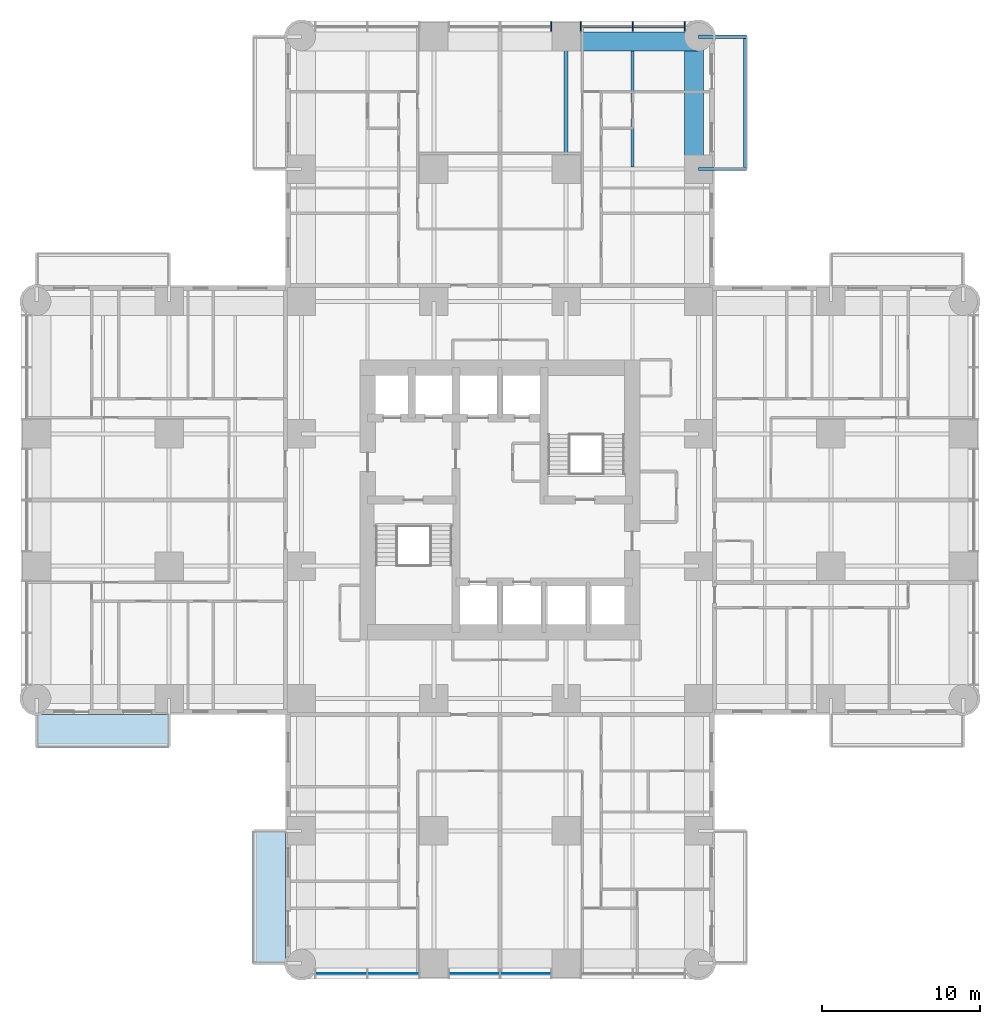
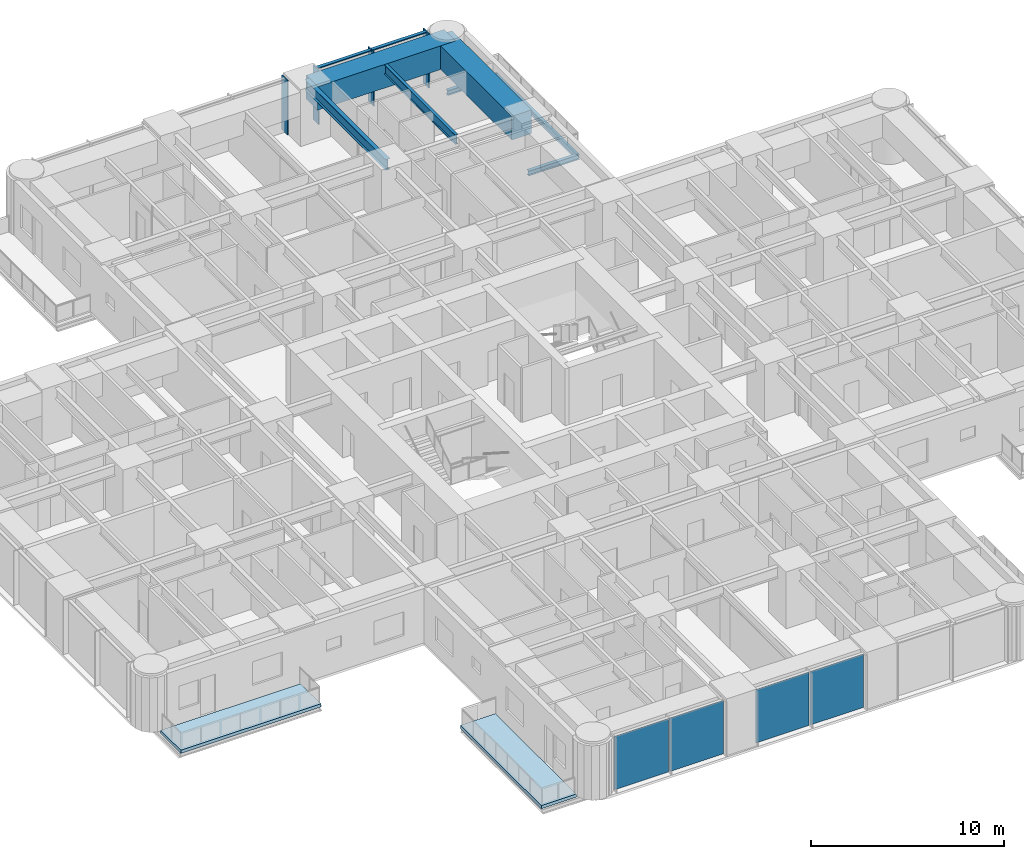
# One storey, part 5 of 17: 7 beams, 6 members, 4 plates, 2 slabs, 2 elements without a shape of their own.
"""IFC4 building model written with IfcOpenShell, lengths in metres."""

from ifc_helpers import new_model, si_unit, direction, frame, origin, origin_2d, place, context, subcontext, project, spatial, polyline, rectangle, i_section, outline, extrude, material, layer, layer_set, material_profile, profile_set, type_object, element, aggregate, save


model = new_model("IFC4")

# Units and contexts
model_context = context("Model", 3, precision=1e-05, world=origin(), true_north=direction((0.0, 1.0)))
body_context = subcontext(model_context, "Body", "Model", "MODEL_VIEW")
ifc_project = project(units=[si_unit("LENGTHUNIT", "METRE"), si_unit("AREAUNIT", "SQUARE_METRE"), si_unit("VOLUMEUNIT", "CUBIC_METRE"), si_unit("PLANEANGLEUNIT", "RADIAN"), si_unit("MASSUNIT", "GRAM", prefix="KILO")], contexts=[model_context])

# Site, building, storey
site_placement = place(None, origin())
site = spatial("IfcSite", under=ifc_project, at=site_placement, CompositionType="ELEMENT")
building_placement = place(site_placement, origin())
building = spatial("IfcBuilding", under=site, at=building_placement, Name="Torre Alcanfor", CompositionType="ELEMENT")
storey_placement = place(building_placement, frame((0.0, 0.0, 59.699951171875)))
storey = spatial("IfcBuildingStorey", under=building, at=storey_placement, Name="L14", CompositionType="ELEMENT", Elevation=59.699951171875)

# Beams
ifc_material_1 = material(Name="Steel ASTM A992 Grade 50", Category="steel")
ifc_material_profile_1 = material_profile(ifc_material_1, i_section(OverallWidth=0.205322265625, OverallDepth=0.309814453125, WebThickness=0.00927734375, FlangeThickness=0.016357421875, at=origin_2d()), Name="W12x50")
ifc_profile_set_1 = profile_set([ifc_material_profile_1], Name="Steel ASTM A992 Grade 50")
beam_type_1 = type_object("IfcBeamType", Name="Balcony cantilever beam W12x50", PredefinedType="BEAM", material=ifc_profile_set_1)
for number, where, z_axis, x_axis, name in (
    (1, (42.0, 50.39990234375, -0.35498046875), (1.0, 0.0, 0.0), (0.0, 1.0, 0.0), "Balcony cantilever beam L14-N2 1"),
    (2, (42.0, 58.800048828125, -0.35498046875), (1.0, 0.0, 0.0), (0.0, 1.0, 0.0), "Balcony cantilever beam L14-N2 2"),
):
    element("IfcBeam", number, at=place(storey_placement, frame(where, z_axis=z_axis, x_axis=x_axis)), inside=storey, type_object=beam_type_1, Name=name, PredefinedType="BEAM", context=body_context, shape_type="SweptSolid", body=[
        extrude(i_section(OverallWidth=0.205322265625, OverallDepth=0.309814453125, WebThickness=0.00927734375, FlangeThickness=0.016357421875, at=origin_2d()), origin(), (0.0, 0.0, 1.0), 3.050048828125),
    ])
ifc_material_2 = material(Name="Steel ASTM A992 Grade 50", Category="steel")
ifc_material_profile_2 = material_profile(ifc_material_2, i_section(OverallWidth=0.203369140625, OverallDepth=0.30224609375, WebThickness=0.007568359375, FlangeThickness=0.01318359375, at=origin_2d()), Name="W12x40")
ifc_profile_set_2 = profile_set([ifc_material_profile_2], Name="Steel ASTM A992 Grade 50")
beam_type_2 = type_object("IfcBeamType", Name="Balcony edge trimmer W12x40", PredefinedType="BEAM", material=ifc_profile_set_2)
beam_1_placement = place(storey_placement, frame((44.9482421875, 50.39990234375, -0.35107421875), z_axis=(0.0, 1.0, 0.0), x_axis=(-1.0, 0.0, 0.0)))
element("IfcBeam", 3, at=beam_1_placement, inside=storey, type_object=beam_type_2, Name="Balcony edge trimmer L14-N2", PredefinedType="BEAM", context=body_context, shape_type="SweptSolid", body=[
    extrude(i_section(OverallWidth=0.203369140625, OverallDepth=0.30224609375, WebThickness=0.007568359375, FlangeThickness=0.01318359375, at=origin_2d()), origin(), (0.0, 0.0, 1.0), 8.400146484375),
])

# Curtain wall, members
ifc_material_3 = material(Name="Aluminium and glass", Category="aluminium")
curtain_wall_type = type_object("IfcCurtainWallType", Name="CW-A unitised apartment glazing with vertical FIN", PredefinedType="NOTDEFINED", material=ifc_material_3)
curtain_wall_1_placement = place(storey_placement, origin())
curtain_wall_1 = element("IfcCurtainWall", 4, at=curtain_wall_1_placement, inside=storey, type_object=curtain_wall_type, Name="Curtain wall CW-A L14 11", PredefinedType="NOTDEFINED")
ifc_material_4 = material(Name="Bronze anodised aluminium", Category="aluminium")
ifc_material_profile_3 = material_profile(ifc_material_4, rectangle(XDim=0.60009765625, YDim=0.06494140625, at=origin_2d()), Name="CW-A mullion 65x600")
ifc_profile_set_3 = profile_set([ifc_material_profile_3], Name="Bronze anodised aluminium")
member_type_1 = type_object("IfcMemberType", Name="CW-A mullion with vertical FIN 65x600", PredefinedType="MULLION", material=ifc_profile_set_3)
member_1_placement = place(storey_placement, frame((41.133056640625, 59.449951171875, 0.0), z_axis=(0.0, 0.0, 1.0), x_axis=(0.0, -1.0, 0.0)))
member_1 = element("IfcMember", 5, at=member_1_placement, type_object=member_type_1, Name="CW-A mullion 1.1", PredefinedType="MULLION", context=body_context, shape_type="SweptSolid", body=[
    extrude(rectangle(XDim=0.60009765625, YDim=0.06494140625, at=origin_2d()), origin(), (0.0, 0.0, 1.0), 3.449951171875),
])
member_2_placement = place(storey_placement, frame((37.835205078125, 59.449951171875, 0.0), z_axis=(0.0, 0.0, 1.0), x_axis=(0.0, -1.0, 0.0)))
member_2 = element("IfcMember", 6, at=member_2_placement, type_object=member_type_1, Name="CW-A mullion 1.2", PredefinedType="MULLION", context=body_context, shape_type="SweptSolid", body=[
    extrude(rectangle(XDim=0.60009765625, YDim=0.06494140625, at=origin_2d()), origin(), (0.0, 0.0, 1.0), 3.449951171875),
])
member_3_placement = place(storey_placement, frame((34.53759765625, 59.449951171875, 0.0), z_axis=(0.0, 0.0, 1.0), x_axis=(0.0, -1.0, 0.0)))
member_3 = element("IfcMember", 7, at=member_3_placement, type_object=member_type_1, Name="CW-A mullion 1.3", PredefinedType="MULLION", context=body_context, shape_type="SweptSolid", body=[
    extrude(rectangle(XDim=0.60009765625, YDim=0.06494140625, at=origin_2d()), origin(), (0.0, 0.0, 1.0), 3.449951171875),
])
member_4_placement = place(storey_placement, frame((32.66259765625, 59.449951171875, 0.0), z_axis=(0.0, 0.0, 1.0), x_axis=(0.0, -1.0, 0.0)))
member_4 = element("IfcMember", 8, at=member_4_placement, type_object=member_type_1, Name="CW-A mullion 2.1", PredefinedType="MULLION", context=body_context, shape_type="SweptSolid", body=[
    extrude(rectangle(XDim=0.60009765625, YDim=0.06494140625, at=origin_2d()), origin(), (0.0, 0.0, 1.0), 3.449951171875),
])
ifc_material_5 = material(Name="Extruded aluminium", Category="aluminium")
ifc_material_profile_4 = material_profile(ifc_material_5, rectangle(XDim=0.199951171875, YDim=0.06494140625, at=origin_2d()), Name="CW-A transom 200x65")
ifc_profile_set_4 = profile_set([ifc_material_profile_4], Name="Extruded aluminium")
member_type_2 = type_object("IfcMemberType", Name="CW-A transom 65x200", PredefinedType="USERDEFINED", material=ifc_profile_set_4)
member_5_placement = place(storey_placement, frame((41.1005859375, 59.449951171875, 3.41748046875), z_axis=(-1.0, 0.0, 0.0), x_axis=(0.0, -1.0, 0.0)))
member_5 = element("IfcMember", 9, at=member_5_placement, type_object=member_type_2, Name="CW-A transom 1.1.2", ObjectType="TRANSOM", PredefinedType="USERDEFINED", context=body_context, shape_type="SweptSolid", body=[
    extrude(rectangle(XDim=0.199951171875, YDim=0.06494140625, at=origin_2d()), origin(), (0.0, 0.0, 1.0), 3.23291015625),
])
member_6_placement = place(storey_placement, frame((37.802734375, 59.449951171875, 3.41748046875), z_axis=(-1.0, 0.0, 0.0), x_axis=(0.0, -1.0, 0.0)))
member_6 = element("IfcMember", 10, at=member_6_placement, type_object=member_type_2, Name="CW-A transom 1.2.2", ObjectType="TRANSOM", PredefinedType="USERDEFINED", context=body_context, shape_type="SweptSolid", body=[
    extrude(rectangle(XDim=0.199951171875, YDim=0.06494140625, at=origin_2d()), origin(), (0.0, 0.0, 1.0), 3.232666015625),
])
aggregate(curtain_wall_1, [member_1, member_2, member_3, member_5, member_6, member_4])

# Beams
ifc_material_6 = material(Name="Steel ASTM A992 Grade 50", Category="steel")
ifc_material_profile_5 = material_profile(ifc_material_6, i_section(OverallWidth=0.25390625, OverallDepth=0.683349609375, WebThickness=0.012451171875, FlangeThickness=0.01904296875, at=origin_2d()), Name="W27x94")
ifc_profile_set_5 = profile_set([ifc_material_profile_5], Name="Steel ASTM A992 Grade 50")
beam_type_3 = type_object("IfcBeamType", Name="Girder W27x94", PredefinedType="BEAM", material=ifc_profile_set_5)
beam_2_placement = place(storey_placement, frame((33.60009765625, 50.39990234375, 3.1083984375), z_axis=(0.0, 1.0, 0.0), x_axis=(-1.0, 0.0, 0.0)))
element("IfcBeam", 11, at=beam_2_placement, inside=storey, type_object=beam_type_3, Name="Beam 5J-5K under L15", PredefinedType="BEAM", context=body_context, shape_type="SweptSolid", body=[
    extrude(i_section(OverallWidth=0.25390625, OverallDepth=0.683349609375, WebThickness=0.012451171875, FlangeThickness=0.01904296875, at=origin_2d()), origin(), (0.0, 0.0, 1.0), 8.400146484375),
])
ifc_material_7 = material(Name="Concrete f'c 70 MPa", Category="concrete")
ifc_material_profile_6 = material_profile(ifc_material_7, rectangle(XDim=1.199951171875, YDim=1.5, at=origin_2d()), Name="1200x1500")
ifc_profile_set_6 = profile_set([ifc_material_profile_6], Name="Concrete f'c 70 MPa")
beam_type_4 = type_object("IfcBeamType", Name="RC perimeter beam 1200x1500", PredefinedType="BEAM", material=ifc_profile_set_6)
for number, where, z_axis, x_axis, name in (
    (12, (33.72705078125, 58.5, 2.699951171875), (1.0, 0.0, 0.0), (0.0, 1.0, 0.0), "Beam 5K-6K under L15"),
    (13, (41.699951171875, 50.527099609375, 2.699951171875), (0.0, 1.0, 0.0), (-1.0, 0.0, 0.0), "Beam 6J-6K under L15"),
):
    element("IfcBeam", number, at=place(storey_placement, frame(where, z_axis=z_axis, x_axis=x_axis)), inside=storey, type_object=beam_type_4, Name=name, PredefinedType="BEAM", context=body_context, shape_type="SweptSolid", body=[
        extrude(rectangle(XDim=1.199951171875, YDim=1.5, at=origin_2d()), origin(), (0.0, 0.0, 1.0), 8.27294921875),
    ])
ifc_material_8 = material(Name="Steel ASTM A992 Grade 50", Category="steel")
ifc_material_profile_7 = material_profile(ifc_material_8, i_section(OverallWidth=0.1787109375, OverallDepth=0.60205078125, WebThickness=0.010986328125, FlangeThickness=0.014892578125, at=origin_2d()), Name="W24x62")
ifc_profile_set_7 = profile_set([ifc_material_profile_7], Name="Steel ASTM A992 Grade 50")
beam_type_5 = type_object("IfcBeamType", Name="Secondary beam W24x62", PredefinedType="BEAM", material=ifc_profile_set_7)
beam_3_placement = place(storey_placement, frame((37.800048828125, 50.527099609375, 3.149169921875), z_axis=(0.0, 1.0, 0.0), x_axis=(-1.0, 0.0, 0.0)))
element("IfcBeam", 14, at=beam_3_placement, inside=storey, type_object=beam_type_5, Name="Beam 37_8J-37_8K under L15", PredefinedType="BEAM", context=body_context, shape_type="SweptSolid", body=[
    extrude(i_section(OverallWidth=0.1787109375, OverallDepth=0.60205078125, WebThickness=0.010986328125, FlangeThickness=0.014892578125, at=origin_2d()), origin(), (0.0, 0.0, 1.0), 7.372802734375),
])

# Slabs
ifc_material_9 = material(Name="Concrete f'c 35 MPa", Category="concrete")
ifc_layer_1 = layer(ifc_material_9, 0.199951171875)
ifc_layer_set_1 = layer_set([ifc_layer_1], Name="Balcony slab 200")
slab_type = type_object("IfcSlabType", Name="Balcony slab 200", PredefinedType="FLOOR", material=ifc_layer_set_1)
slab_1_placement = place(storey_placement, frame((0.0, 0.0, -0.199951171875)))
element("IfcSlab", 15, at=slab_1_placement, inside=storey, type_object=slab_type, Name="Balcony L14-S2", PredefinedType="FLOOR", context=body_context, shape_type="SweptSolid", body=[
    extrude(outline(polyline([(13.699951171875, 8.39990234375), (13.699951171875, 0.0), (15.800048828125, 0.0), (15.800048828125, 8.39990234375), (13.699951171875, 8.39990234375)])), origin(), (0.0, 0.0, 1.0), 0.199951171875),
])
slab_2_placement = place(storey_placement, frame((0.0, 0.0, -0.199951171875)))
element("IfcSlab", 16, at=slab_2_placement, inside=storey, type_object=slab_type, Name="Balcony L14-W1", PredefinedType="FLOOR", context=body_context, shape_type="SweptSolid", body=[
    extrude(outline(polyline([(8.39990234375, 15.800048828125), (0.0, 15.800048828125), (0.0, 13.699951171875), (8.39990234375, 13.699951171875), (8.39990234375, 15.800048828125)])), origin(), (0.0, 0.0, 1.0), 0.199951171875),
])

# Curtain wall, plates
curtain_wall_2_placement = place(storey_placement, origin())
curtain_wall_2 = element("IfcCurtainWall", 17, at=curtain_wall_2_placement, inside=storey, type_object=curtain_wall_type, Name="Curtain wall CW-A L14 5", PredefinedType="NOTDEFINED")
ifc_material_10 = material(Name="Glass", Category="glass")
ifc_layer_2 = layer(ifc_material_10, 0.028076171875)
ifc_layer_set_2 = layer_set([ifc_layer_2], Name="CW-A clear double glazed unit")
plate_type = type_object("IfcPlateType", Name="CW-A clear double glazed unit", PredefinedType="CURTAIN_PANEL", material=ifc_layer_set_2)
plate_1_placement = place(storey_placement, frame((19.31591796875, -0.64990234375, 0.0), z_axis=(0.0, 0.0, 1.0), x_axis=(1.0, 0.0, 0.0)))
plate_1 = element("IfcPlate", 18, at=plate_1_placement, type_object=plate_type, Name="CW-A panel 1.1.1", PredefinedType="CURTAIN_PANEL", context=body_context, shape_type="SweptSolid", body=[
    extrude(rectangle(XDim=3.232666015625, YDim=0.028076171875, at=origin_2d()), origin(), (0.0, 0.0, 1.0), 3.385009765625),
])
plate_2_placement = place(storey_placement, frame((22.613525390625, -0.64990234375, 0.0), z_axis=(0.0, 0.0, 1.0), x_axis=(1.0, 0.0, 0.0)))
plate_2 = element("IfcPlate", 19, at=plate_2_placement, type_object=plate_type, Name="CW-A panel 1.2.1", PredefinedType="CURTAIN_PANEL", context=body_context, shape_type="SweptSolid", body=[
    extrude(rectangle(XDim=3.232666015625, YDim=0.028076171875, at=origin_2d()), origin(), (0.0, 0.0, 1.0), 3.385009765625),
])
plate_3_placement = place(storey_placement, frame((27.768798828125, -0.64990234375, 0.0), z_axis=(0.0, 0.0, 1.0), x_axis=(1.0, 0.0, 0.0)))
plate_3 = element("IfcPlate", 20, at=plate_3_placement, type_object=plate_type, Name="CW-A panel 2.1.1", PredefinedType="CURTAIN_PANEL", context=body_context, shape_type="SweptSolid", body=[
    extrude(rectangle(XDim=3.197509765625, YDim=0.028076171875, at=origin_2d()), origin(), (0.0, 0.0, 1.0), 3.385009765625),
])
plate_4_placement = place(storey_placement, frame((31.03125, -0.64990234375, 0.0), z_axis=(0.0, 0.0, 1.0), x_axis=(1.0, 0.0, 0.0)))
plate_4 = element("IfcPlate", 21, at=plate_4_placement, type_object=plate_type, Name="CW-A panel 2.2.1", PredefinedType="CURTAIN_PANEL", context=body_context, shape_type="SweptSolid", body=[
    extrude(rectangle(XDim=3.197509765625, YDim=0.028076171875, at=origin_2d()), origin(), (0.0, 0.0, 1.0), 3.385009765625),
])
aggregate(curtain_wall_2, [plate_1, plate_2, plate_3, plate_4])

save(model, "model.ifc")
